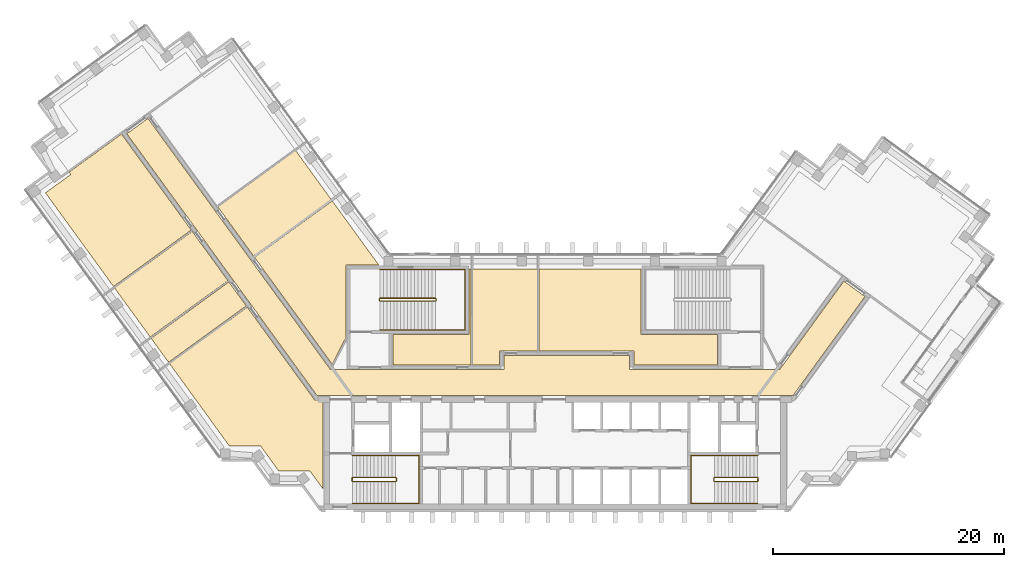
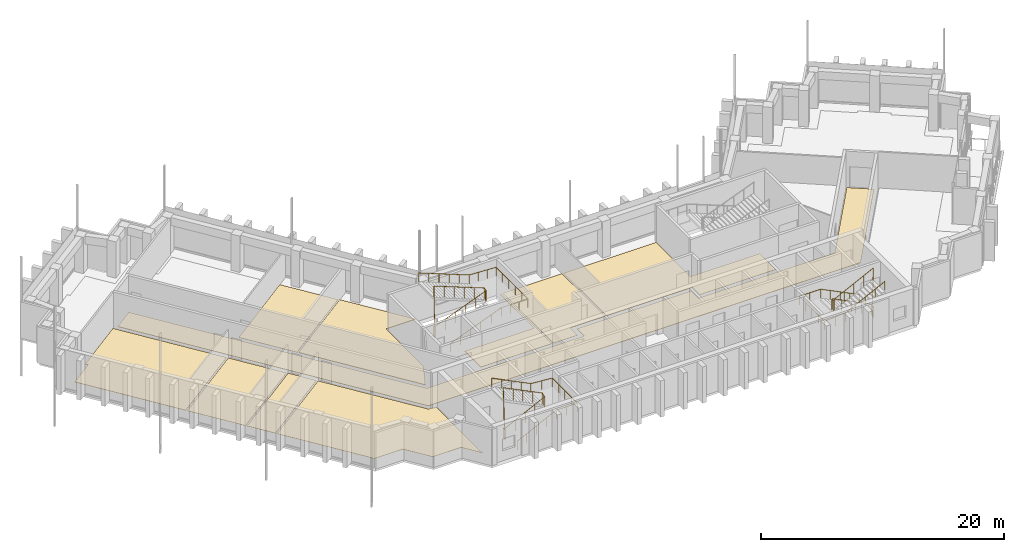
# One storey, part 13 of 14: 10 coverings, 6 railings.
"""IFC4 building model written with IfcOpenShell, lengths in metres."""

from ifc_helpers import new_model, si_unit, direction, frame, origin, origin_2d, place, context, subcontext, project, spatial, polyline, circle, outline, extrude, material, layer, layer_set, type_object, element, save


model = new_model("IFC4")

# Units and contexts
model_context = context("Model", 3, precision=1e-05, world=origin(), true_north=direction((0.0, 1.0)))
body_context = subcontext(model_context, "Body", "Model", "MODEL_VIEW")
ifc_project = project(units=[si_unit("LENGTHUNIT", "METRE"), si_unit("AREAUNIT", "SQUARE_METRE"), si_unit("VOLUMEUNIT", "CUBIC_METRE"), si_unit("PLANEANGLEUNIT", "RADIAN"), si_unit("MASSUNIT", "GRAM", prefix="KILO")], contexts=[model_context])

# Site, building, storey
site_placement = place(None, origin())
site = spatial("IfcSite", under=ifc_project, at=site_placement, CompositionType="ELEMENT")
building_placement = place(site_placement, origin())
building = spatial("IfcBuilding", under=site, at=building_placement, Name="Quipu Civic Tower", CompositionType="ELEMENT")
storey_placement = place(building_placement, frame((0.0, 0.0, 198.0)))
storey = spatial("IfcBuildingStorey", under=building, at=storey_placement, Name="L46", CompositionType="ELEMENT", Elevation=198.0)

# Coverings
ifc_material_1 = material(Name="Carpet tile on raised access floor")
ifc_layer_1 = layer(ifc_material_1, 0.02001953125)
ifc_layer_set_1 = layer_set([ifc_layer_1], Name="Carpet tile on raised access floor")
covering_type_1 = type_object("IfcCoveringType", Name="Carpet tile floor finish 20", PredefinedType="FLOORING", material=ifc_layer_set_1)
covering_1_placement = place(storey_placement, origin())
element("IfcCovering", 1, at=covering_1_placement, inside=storey, type_object=covering_type_1, Name="Carpet tile floor finish 20", PredefinedType="FLOORING", context=body_context, shape_type="SweptSolid", body=[
    extrude(outline(polyline([(-7.1279296875, 9.830078125), (-1.510009765625, 9.830078125), (-1.510009765625, 2.719970703125), (-4.818115234375, 2.719970703125), (-4.820068359375, 1.52001953125), (-7.1279296875, 1.52001953125), (-7.1279296875, 9.830078125)])), origin(), (0.0, 0.0, 1.0), 0.02001953125),
])
covering_2_placement = place(storey_placement, origin())
element("IfcCovering", 2, at=covering_2_placement, inside=storey, type_object=covering_type_1, Name="Carpet tile floor finish 20", PredefinedType="FLOORING", context=body_context, shape_type="SweptSolid", body=[
    extrude(outline(polyline([(-29.1650390625, 15.200927734375), (-22.44189453125, 20.0849609375), (-19.35107421875, 15.8291015625), (-26.073974609375, 10.946044921875), (-29.1650390625, 15.200927734375)])), origin(), (0.0, 0.0, 1.0), 0.02001953125),
])
covering_3_placement = place(storey_placement, origin())
element("IfcCovering", 3, at=covering_3_placement, inside=storey, type_object=covering_type_1, Name="Carpet tile floor finish 20", PredefinedType="FLOORING", context=body_context, shape_type="SweptSolid", body=[
    extrude(outline(polyline([(-38.10693359375, 8.198974609375), (-31.383056640625, 13.08203125), (-28.2919921875, 8.826904296875), (-35.01611328125, 3.943115234375), (-38.10693359375, 8.198974609375)])), origin(), (0.0, 0.0, 1.0), 0.02001953125),
])
covering_4_placement = place(storey_placement, origin())
element("IfcCovering", 4, at=covering_4_placement, inside=storey, type_object=covering_type_1, Name="Carpet tile floor finish 20", PredefinedType="FLOORING", context=body_context, shape_type="SweptSolid", body=[
    extrude(outline(polyline([(-33.344970703125, 1.64501953125), (-26.6220703125, 6.529052734375), (-20.77490234375, -1.51904296875), (-20.070068359375, -1.52001953125), (-20.070068359375, -9.195068359375), (-21.196044921875, -7.64599609375), (-23.89501953125, -7.64599609375), (-25.48193359375, -5.4619140625), (-28.181884765625, -5.4609375), (-33.344970703125, 1.64501953125)])), origin(), (0.0, 0.0, 1.0), 0.02001953125),
])
covering_5_placement = place(storey_placement, origin())
element("IfcCovering", 5, at=covering_5_placement, inside=storey, type_object=covering_type_1, Name="Carpet tile floor finish 20", PredefinedType="FLOORING", context=body_context, shape_type="SweptSolid", body=[
    extrude(outline(polyline([(-1.368896484375, 2.719970703125), (-1.368896484375, 9.830078125), (7.429931640625, 9.830078125), (7.430908203125, 4.179931640625), (14.030029296875, 4.179931640625), (14.030029296875, 1.52001953125), (6.820068359375, 1.52001953125), (6.818115234375, 2.719970703125), (-1.368896484375, 2.719970703125)])), origin(), (0.0, 0.0, 1.0), 0.02001953125),
])
ifc_material_2 = material(Name="Ceramic floor tile")
ifc_layer_2 = layer(ifc_material_2, 0.030029296875)
ifc_layer_set_2 = layer_set([ifc_layer_2], Name="Ceramic floor tile")
covering_type_2 = type_object("IfcCoveringType", Name="Ceramic tile floor finish 30", PredefinedType="FLOORING", material=ifc_layer_set_2)
covering_6_placement = place(storey_placement, origin())
element("IfcCovering", 6, at=covering_6_placement, inside=storey, type_object=covering_type_2, Name="Ceramic tile floor finish 30", PredefinedType="FLOORING", context=body_context, shape_type="SweptSolid", body=[
    extrude(outline(polyline([(-44.074951171875, 16.4140625), (-41.89208984375, 17.9990234375), (-42.0380859375, 18.201904296875), (-37.4990234375, 21.5), (-31.466064453125, 13.195068359375), (-38.18994140625, 8.31201171875), (-44.074951171875, 16.4140625)])), origin(), (0.0, 0.0, 1.0), 0.030029296875),
])
covering_7_placement = place(storey_placement, origin())
element("IfcCovering", 7, at=covering_7_placement, inside=storey, type_object=covering_type_2, Name="Ceramic tile floor finish 30", PredefinedType="FLOORING", context=body_context, shape_type="SweptSolid", body=[
    extrude(outline(polyline([(-14.030029296875, 4.179931640625), (-7.430908203125, 4.179931640625), (-7.429931640625, 9.830078125), (-7.26806640625, 9.830078125), (-7.26806640625, 1.52001953125), (-14.030029296875, 1.52001953125), (-14.030029296875, 4.179931640625)])), origin(), (0.0, 0.0, 1.0), 0.030029296875),
])
covering_8_placement = place(storey_placement, origin())
element("IfcCovering", 8, at=covering_8_placement, inside=storey, type_object=covering_type_2, Name="Ceramic tile floor finish 30", PredefinedType="FLOORING", context=body_context, shape_type="SweptSolid", body=[
    extrude(outline(polyline([(-34.931884765625, 3.830078125), (-28.208984375, 8.714111328125), (-26.705078125, 6.64208984375), (-33.427978515625, 1.758056640625), (-34.931884765625, 3.830078125)])), origin(), (0.0, 0.0, 1.0), 0.030029296875),
])
ifc_material_3 = material(Name="Sealed cement screed")
ifc_layer_3 = layer(ifc_material_3, 0.050048828125)
ifc_layer_set_3 = layer_set([ifc_layer_3], Name="Sealed cement screed")
covering_type_3 = type_object("IfcCoveringType", Name="Sealed screed floor finish 50", PredefinedType="FLOORING", material=ifc_layer_set_3)
covering_9_placement = place(storey_placement, origin())
element("IfcCovering", 9, at=covering_9_placement, inside=storey, type_object=covering_type_3, Name="Sealed screed floor finish 50", PredefinedType="FLOORING", context=body_context, shape_type="SweptSolid", body=[
    extrude(outline(polyline([(-25.990966796875, 10.8330078125), (-19.26806640625, 15.716064453125), (-15.238037109375, 10.169921875), (-18.070068359375, 10.1689453125), (-18.070068359375, 3.94189453125), (-19.27197265625, 1.583984375), (-25.990966796875, 10.8330078125)])), origin(), (0.0, 0.0, 1.0), 0.050048828125),
])

# Railings
ifc_material_4 = material(Name="Stainless steel", Category="steel")
railing_type_1 = type_object("IfcRailingType", Name="Stair guard 1100", PredefinedType="GUARDRAIL", material=ifc_material_4)
railing_1_placement = place(storey_placement, frame((-17.5, -8.550048828125, 0.15380859375)))
element("IfcRailing", 10, at=railing_1_placement, inside=storey, type_object=railing_type_1, Name="Stair 1 guard", PredefinedType="GUARDRAIL", context=body_context, shape_type="SweptSolid", body=[
    extrude(circle(Radius=0.02392578125, at=origin_2d()), frame((0.0, 0.0, 1.076171875), z_axis=(0.895751851347, 0.0, 0.444554407028), x_axis=(0.0, 1.0, 0.0)), (0.0, 0.0, 1.0), 4.15283203125),
    extrude(circle(Radius=0.02392578125, at=origin_2d()), frame((3.719970703125, 0.0, 2.92236328125), z_axis=(0.707106781187, 0.707106781187, 0.0), x_axis=(-0.707106781187, 0.707106781187, 0.0)), (0.0, 0.0, 1.0), 0.07080078125),
    extrude(circle(Radius=0.02392578125, at=origin_2d()), frame((3.77001953125, 0.050048828125, 2.92236328125), z_axis=(0.0, 1.0, 0.0), x_axis=(-1.0, 0.0, 0.0)), (0.0, 0.0, 1.0), 0.25),
    extrude(circle(Radius=0.02392578125, at=origin_2d()), frame((3.77001953125, 0.300048828125, 2.92236328125), z_axis=(-0.295599637079, 0.295599637079, 0.908428152975), x_axis=(-0.707106781187, -0.707106781187, 0.0)), (0.0, 0.0, 1.0), 0.16943359375),
    extrude(circle(Radius=0.02392578125, at=origin_2d()), frame((3.719970703125, 0.35009765625, 3.076171875), z_axis=(-0.895751851347, 0.0, 0.444554407028), x_axis=(0.0, -1.0, 0.0)), (0.0, 0.0, 1.0), 4.15283203125),
    extrude(circle(Radius=0.02392578125, at=origin_2d()), frame((0.0, 0.35009765625, 4.92236328125), z_axis=(-0.012476181752, -0.074796231092, -0.997120789425), x_axis=(0.986372223864, -0.164529134168, 0.0)), (0.0, 0.0, 1.0), 4.011474609375),
    extrude(circle(Radius=0.02392578125, at=origin_2d()), frame((-0.050048828125, 0.050048828125, 0.92236328125), z_axis=(0.0, 1.0, 0.0), x_axis=(-1.0, 0.0, 0.0)), (0.0, 0.0, 1.0), 0.25),
    extrude(circle(Radius=0.02099609375, at=origin_2d()), origin(), (0.0, 0.0, 1.0), 1.052001953125),
    extrude(circle(Radius=0.02099609375, at=origin_2d()), frame((0.929931640625, 0.0, 0.46142578125)), (0.0, 0.0, 1.0), 1.052001953125),
    extrude(circle(Radius=0.02099609375, at=origin_2d()), frame((1.85986328125, 0.0, 0.923095703125)), (0.0, 0.0, 1.0), 1.052001953125),
    extrude(circle(Radius=0.02099609375, at=origin_2d()), frame((2.7900390625, 0.0, 1.384765625)), (0.0, 0.0, 1.0), 1.052001953125),
    extrude(circle(Radius=0.02099609375, at=origin_2d()), frame((3.719970703125, 0.0, 1.84619140625)), (0.0, 0.0, 1.0), 1.052001953125),
    extrude(circle(Radius=0.02099609375, at=origin_2d()), frame((3.77001953125, 0.050048828125, 1.84619140625)), (0.0, 0.0, 1.0), 1.052001953125),
    extrude(circle(Radius=0.02099609375, at=origin_2d()), frame((3.77001953125, 0.300048828125, 1.84619140625)), (0.0, 0.0, 1.0), 1.052001953125),
    extrude(circle(Radius=0.02099609375, at=origin_2d()), frame((3.719970703125, 0.35009765625, 2.0)), (0.0, 0.0, 1.0), 1.052001953125),
    extrude(circle(Radius=0.02099609375, at=origin_2d()), frame((2.7900390625, 0.35009765625, 2.46142578125)), (0.0, 0.0, 1.0), 1.052001953125),
    extrude(circle(Radius=0.02099609375, at=origin_2d()), frame((1.85986328125, 0.35009765625, 2.923095703125)), (0.0, 0.0, 1.0), 1.052001953125),
    extrude(circle(Radius=0.02099609375, at=origin_2d()), frame((0.929931640625, 0.35009765625, 3.384765625)), (0.0, 0.0, 1.0), 1.052001953125),
    extrude(circle(Radius=0.02099609375, at=origin_2d()), frame((0.0, 0.35009765625, 3.84619140625)), (0.0, 0.0, 1.0), 1.052001953125),
    extrude(circle(Radius=0.02099609375, at=origin_2d()), frame((-0.012451171875, 0.275146484375, 2.84619140625)), (0.0, 0.0, 1.0), 1.052001953125),
    extrude(circle(Radius=0.02099609375, at=origin_2d()), frame((-0.02490234375, 0.2001953125, 1.84619140625)), (0.0, 0.0, 1.0), 1.052001953125),
    extrude(circle(Radius=0.02099609375, at=origin_2d()), frame((-0.03759765625, 0.125, 0.84619140625)), (0.0, 0.0, 1.0), 1.052001953125),
    extrude(circle(Radius=0.02099609375, at=origin_2d()), frame((-0.050048828125, 0.050048828125, -0.15380859375)), (0.0, 0.0, 1.0), 1.052001953125),
    extrude(circle(Radius=0.02099609375, at=origin_2d()), frame((-0.050048828125, 0.300048828125, -0.15380859375)), (0.0, 0.0, 1.0), 1.052001953125),
])
railing_2_placement = place(storey_placement, frame((17.5, -8.199951171875, 0.15380859375)))
element("IfcRailing", 11, at=railing_2_placement, inside=storey, type_object=railing_type_1, Name="Stair 2 guard", PredefinedType="GUARDRAIL", context=body_context, shape_type="SweptSolid", body=[
    extrude(circle(Radius=0.02392578125, at=origin_2d()), frame((0.0, 0.0, 1.076171875), z_axis=(-0.895751851347, 0.0, 0.444554407028), x_axis=(0.0, -1.0, 0.0)), (0.0, 0.0, 1.0), 4.15283203125),
    extrude(circle(Radius=0.02392578125, at=origin_2d()), frame((-3.719970703125, 0.0, 2.92236328125), z_axis=(-0.707106781187, -0.707106781187, 0.0), x_axis=(0.707106781187, -0.707106781187, 0.0)), (0.0, 0.0, 1.0), 0.07080078125),
    extrude(circle(Radius=0.02392578125, at=origin_2d()), frame((-3.77001953125, -0.050048828125, 2.92236328125), z_axis=(0.0, -1.0, 0.0), x_axis=(1.0, 0.0, 0.0)), (0.0, 0.0, 1.0), 0.25),
    extrude(circle(Radius=0.02392578125, at=origin_2d()), frame((-3.77001953125, -0.300048828125, 2.92236328125), z_axis=(0.295599637079, -0.295599637079, 0.908428152975), x_axis=(0.707106781187, 0.707106781187, 0.0)), (0.0, 0.0, 1.0), 0.16943359375),
    extrude(circle(Radius=0.02392578125, at=origin_2d()), frame((-3.719970703125, -0.35009765625, 3.076171875), z_axis=(0.895751851347, 0.0, 0.444554407028), x_axis=(0.0, 1.0, 0.0)), (0.0, 0.0, 1.0), 4.15283203125),
    extrude(circle(Radius=0.02392578125, at=origin_2d()), frame((0.0, -0.35009765625, 4.92236328125), z_axis=(0.012476181752, 0.074796231092, -0.997120789425), x_axis=(-0.986372223864, 0.164529134168, 0.0)), (0.0, 0.0, 1.0), 4.011474609375),
    extrude(circle(Radius=0.02392578125, at=origin_2d()), frame((0.050048828125, -0.050048828125, 0.92236328125), z_axis=(0.0, -1.0, 0.0), x_axis=(1.0, 0.0, 0.0)), (0.0, 0.0, 1.0), 0.25),
    extrude(circle(Radius=0.02099609375, at=origin_2d()), origin(), (0.0, 0.0, 1.0), 1.052001953125),
    extrude(circle(Radius=0.02099609375, at=origin_2d()), frame((-0.929931640625, 0.0, 0.46142578125)), (0.0, 0.0, 1.0), 1.052001953125),
    extrude(circle(Radius=0.02099609375, at=origin_2d()), frame((-1.85986328125, 0.0, 0.923095703125)), (0.0, 0.0, 1.0), 1.052001953125),
    extrude(circle(Radius=0.02099609375, at=origin_2d()), frame((-2.7900390625, 0.0, 1.384765625)), (0.0, 0.0, 1.0), 1.052001953125),
    extrude(circle(Radius=0.02099609375, at=origin_2d()), frame((-3.719970703125, 0.0, 1.84619140625)), (0.0, 0.0, 1.0), 1.052001953125),
    extrude(circle(Radius=0.02099609375, at=origin_2d()), frame((-3.77001953125, -0.050048828125, 1.84619140625)), (0.0, 0.0, 1.0), 1.052001953125),
    extrude(circle(Radius=0.02099609375, at=origin_2d()), frame((-3.77001953125, -0.300048828125, 1.84619140625)), (0.0, 0.0, 1.0), 1.052001953125),
    extrude(circle(Radius=0.02099609375, at=origin_2d()), frame((-3.719970703125, -0.35009765625, 2.0)), (0.0, 0.0, 1.0), 1.052001953125),
    extrude(circle(Radius=0.02099609375, at=origin_2d()), frame((-2.7900390625, -0.35009765625, 2.46142578125)), (0.0, 0.0, 1.0), 1.052001953125),
    extrude(circle(Radius=0.02099609375, at=origin_2d()), frame((-1.85986328125, -0.35009765625, 2.923095703125)), (0.0, 0.0, 1.0), 1.052001953125),
    extrude(circle(Radius=0.02099609375, at=origin_2d()), frame((-0.929931640625, -0.35009765625, 3.384765625)), (0.0, 0.0, 1.0), 1.052001953125),
    extrude(circle(Radius=0.02099609375, at=origin_2d()), frame((0.0, -0.35009765625, 3.84619140625)), (0.0, 0.0, 1.0), 1.052001953125),
    extrude(circle(Radius=0.02099609375, at=origin_2d()), frame((0.012451171875, -0.275146484375, 2.84619140625)), (0.0, 0.0, 1.0), 1.052001953125),
    extrude(circle(Radius=0.02099609375, at=origin_2d()), frame((0.02490234375, -0.2001953125, 1.84619140625)), (0.0, 0.0, 1.0), 1.052001953125),
    extrude(circle(Radius=0.02099609375, at=origin_2d()), frame((0.03759765625, -0.125, 0.84619140625)), (0.0, 0.0, 1.0), 1.052001953125),
    extrude(circle(Radius=0.02099609375, at=origin_2d()), frame((0.050048828125, -0.050048828125, -0.15380859375)), (0.0, 0.0, 1.0), 1.052001953125),
    extrude(circle(Radius=0.02099609375, at=origin_2d()), frame((0.050048828125, -0.300048828125, -0.15380859375)), (0.0, 0.0, 1.0), 1.052001953125),
])
railing_3_placement = place(storey_placement, frame((-15.14990234375, 7.050048828125, 0.11767578125)))
element("IfcRailing", 12, at=railing_3_placement, inside=storey, type_object=railing_type_1, Name="Stair 3 guard", PredefinedType="GUARDRAIL", context=body_context, shape_type="SweptSolid", body=[
    extrude(circle(Radius=0.02392578125, at=origin_2d()), frame((0.0, 0.0, 1.076171875), z_axis=(0.930970042603, 0.0, 0.365095576219), x_axis=(0.0, 1.0, 0.0)), (0.0, 0.0, 1.0), 5.15576171875),
    extrude(circle(Radius=0.02392578125, at=origin_2d()), frame((4.7998046875, 0.0, 2.95849609375), z_axis=(0.707106781187, 0.707106781187, 0.0), x_axis=(-0.707106781187, 0.707106781187, 0.0)), (0.0, 0.0, 1.0), 0.07080078125),
    extrude(circle(Radius=0.02392578125, at=origin_2d()), frame((4.849853515625, 0.050048828125, 2.95849609375), z_axis=(0.0, 1.0, 0.0), x_axis=(-1.0, 0.0, 0.0)), (0.0, 0.0, 1.0), 0.14990234375),
    extrude(circle(Radius=0.02392578125, at=origin_2d()), frame((4.849853515625, 0.199951171875, 2.95849609375), z_axis=(-0.364463019033, 0.364463019033, 0.856932561824), x_axis=(-0.707106781187, -0.707106781187, 0.0)), (0.0, 0.0, 1.0), 0.13720703125),
    extrude(circle(Radius=0.02392578125, at=origin_2d()), frame((4.7998046875, 0.25, 3.076171875), z_axis=(-0.930970042603, 0.0, 0.365095576219), x_axis=(0.0, -1.0, 0.0)), (0.0, 0.0, 1.0), 5.15576171875),
    extrude(circle(Radius=0.02392578125, at=origin_2d()), frame((0.0, 0.25, 4.95849609375), z_axis=(-0.012495627992, -0.049921557685, -0.998674970829), x_axis=(0.970072785993, -0.242814311512, 0.0)), (0.0, 0.0, 1.0), 4.00537109375),
    extrude(circle(Radius=0.02392578125, at=origin_2d()), frame((-0.050048828125, 0.050048828125, 0.95849609375), z_axis=(0.0, 1.0, 0.0), x_axis=(-1.0, 0.0, 0.0)), (0.0, 0.0, 1.0), 0.14990234375),
    extrude(circle(Radius=0.02099609375, at=origin_2d()), origin(), (0.0, 0.0, 1.0), 1.052001953125),
    extrude(circle(Radius=0.02099609375, at=origin_2d()), frame((0.9599609375, 0.0, 0.37646484375)), (0.0, 0.0, 1.0), 1.052001953125),
    extrude(circle(Radius=0.02099609375, at=origin_2d()), frame((1.919921875, 0.0, 0.7529296875)), (0.0, 0.0, 1.0), 1.052001953125),
    extrude(circle(Radius=0.02099609375, at=origin_2d()), frame((2.8798828125, 0.0, 1.12939453125)), (0.0, 0.0, 1.0), 1.052001953125),
    extrude(circle(Radius=0.02099609375, at=origin_2d()), frame((3.83984375, 0.0, 1.505859375)), (0.0, 0.0, 1.0), 1.052001953125),
    extrude(circle(Radius=0.02099609375, at=origin_2d()), frame((4.7998046875, 0.0, 1.88232421875)), (0.0, 0.0, 1.0), 1.052001953125),
    extrude(circle(Radius=0.02099609375, at=origin_2d()), frame((4.849853515625, 0.050048828125, 1.88232421875)), (0.0, 0.0, 1.0), 1.052001953125),
    extrude(circle(Radius=0.02099609375, at=origin_2d()), frame((4.849853515625, 0.199951171875, 1.88232421875)), (0.0, 0.0, 1.0), 1.052001953125),
    extrude(circle(Radius=0.02099609375, at=origin_2d()), frame((4.7998046875, 0.25, 2.0)), (0.0, 0.0, 1.0), 1.052001953125),
    extrude(circle(Radius=0.02099609375, at=origin_2d()), frame((3.83984375, 0.25, 2.37646484375)), (0.0, 0.0, 1.0), 1.052001953125),
    extrude(circle(Radius=0.02099609375, at=origin_2d()), frame((2.8798828125, 0.25, 2.7529296875)), (0.0, 0.0, 1.0), 1.052001953125),
    extrude(circle(Radius=0.02099609375, at=origin_2d()), frame((1.919921875, 0.25, 3.12939453125)), (0.0, 0.0, 1.0), 1.052001953125),
    extrude(circle(Radius=0.02099609375, at=origin_2d()), frame((0.9599609375, 0.25, 3.505859375)), (0.0, 0.0, 1.0), 1.052001953125),
    extrude(circle(Radius=0.02099609375, at=origin_2d()), frame((0.0, 0.25, 3.88232421875)), (0.0, 0.0, 1.0), 1.052001953125),
    extrude(circle(Radius=0.02099609375, at=origin_2d()), frame((-0.012451171875, 0.199951171875, 2.88232421875)), (0.0, 0.0, 1.0), 1.052001953125),
    extrude(circle(Radius=0.02099609375, at=origin_2d()), frame((-0.02490234375, 0.14990234375, 1.88232421875)), (0.0, 0.0, 1.0), 1.052001953125),
    extrude(circle(Radius=0.02099609375, at=origin_2d()), frame((-0.03759765625, 0.10009765625, 0.88232421875)), (0.0, 0.0, 1.0), 1.052001953125),
    extrude(circle(Radius=0.02099609375, at=origin_2d()), frame((-0.050048828125, 0.050048828125, -0.11767578125)), (0.0, 0.0, 1.0), 1.052001953125),
    extrude(circle(Radius=0.02099609375, at=origin_2d()), frame((-0.050048828125, 0.199951171875, -0.11767578125)), (0.0, 0.0, 1.0), 1.052001953125),
])
ifc_material_5 = material(Name="Stainless steel", Category="steel")
railing_type_2 = type_object("IfcRailingType", Name="Stair handrail", PredefinedType="HANDRAIL", material=ifc_material_5)
railing_4_placement = place(storey_placement, frame((-17.5, -10.449951171875, 0.15380859375)))
element("IfcRailing", 13, at=railing_4_placement, inside=storey, type_object=railing_type_2, Name="Stair 1 handrail", PredefinedType="HANDRAIL", context=body_context, shape_type="SweptSolid", body=[
    extrude(circle(Radius=0.02392578125, at=origin_2d()), frame((0.0, 0.0, 0.8759765625), z_axis=(0.895751851347, 0.0, 0.444554407028), x_axis=(0.0, 1.0, 0.0)), (0.0, 0.0, 1.0), 4.15283203125),
    extrude(circle(Radius=0.02392578125, at=origin_2d()), frame((3.719970703125, 0.0, 2.72216796875), z_axis=(1.0, 0.0, 0.0), x_axis=(0.0, 1.0, 0.0)), (0.0, 0.0, 1.0), 2.030029296875),
    extrude(circle(Radius=0.02392578125, at=origin_2d()), frame((5.75, 0.0, 2.72216796875), z_axis=(0.0, 1.0, 0.0), x_axis=(-1.0, 0.0, 0.0)), (0.0, 0.0, 1.0), 4.14990234375),
    extrude(circle(Radius=0.02392578125, at=origin_2d()), frame((5.75, 4.14990234375, 2.72216796875), z_axis=(-0.997142003663, 0.0, 0.075550145798), x_axis=(0.0, -1.0, 0.0)), (0.0, 0.0, 1.0), 2.035888671875),
    extrude(circle(Radius=0.02392578125, at=origin_2d()), frame((3.719970703125, 4.14990234375, 2.8759765625), z_axis=(-0.895751851347, 0.0, 0.444554407028), x_axis=(0.0, -1.0, 0.0)), (0.0, 0.0, 1.0), 4.15283203125),
    extrude(circle(Radius=0.02099609375, at=origin_2d()), origin(), (0.0, 0.0, 1.0), 0.851806640625),
    extrude(circle(Radius=0.02099609375, at=origin_2d()), frame((0.929931640625, 0.0, 0.46142578125)), (0.0, 0.0, 1.0), 0.851806640625),
    extrude(circle(Radius=0.02099609375, at=origin_2d()), frame((1.85986328125, 0.0, 0.923095703125)), (0.0, 0.0, 1.0), 0.851806640625),
    extrude(circle(Radius=0.02099609375, at=origin_2d()), frame((2.7900390625, 0.0, 1.384765625)), (0.0, 0.0, 1.0), 0.851806640625),
    extrude(circle(Radius=0.02099609375, at=origin_2d()), frame((3.719970703125, 0.0, 1.84619140625)), (0.0, 0.0, 1.0), 0.851806640625),
    extrude(circle(Radius=0.02099609375, at=origin_2d()), frame((4.73486328125, 0.0, 1.84619140625)), (0.0, 0.0, 1.0), 0.851806640625),
    extrude(circle(Radius=0.02099609375, at=origin_2d()), frame((5.75, 0.0, 1.84619140625)), (0.0, 0.0, 1.0), 0.851806640625),
    extrude(circle(Radius=0.02099609375, at=origin_2d()), frame((5.75, 1.03759765625, 1.84619140625)), (0.0, 0.0, 1.0), 0.851806640625),
    extrude(circle(Radius=0.02099609375, at=origin_2d()), frame((5.75, 2.074951171875, 1.84619140625)), (0.0, 0.0, 1.0), 0.851806640625),
    extrude(circle(Radius=0.02099609375, at=origin_2d()), frame((5.75, 3.1123046875, 1.84619140625)), (0.0, 0.0, 1.0), 0.851806640625),
    extrude(circle(Radius=0.02099609375, at=origin_2d()), frame((5.75, 4.14990234375, 1.84619140625)), (0.0, 0.0, 1.0), 0.851806640625),
    extrude(circle(Radius=0.02099609375, at=origin_2d()), frame((4.73486328125, 4.14990234375, 1.923095703125)), (0.0, 0.0, 1.0), 0.851806640625),
    extrude(circle(Radius=0.02099609375, at=origin_2d()), frame((3.719970703125, 4.14990234375, 2.0)), (0.0, 0.0, 1.0), 0.851806640625),
    extrude(circle(Radius=0.02099609375, at=origin_2d()), frame((2.7900390625, 4.14990234375, 2.46142578125)), (0.0, 0.0, 1.0), 0.851806640625),
    extrude(circle(Radius=0.02099609375, at=origin_2d()), frame((1.85986328125, 4.14990234375, 2.923095703125)), (0.0, 0.0, 1.0), 0.851806640625),
    extrude(circle(Radius=0.02099609375, at=origin_2d()), frame((0.929931640625, 4.14990234375, 3.384765625)), (0.0, 0.0, 1.0), 0.851806640625),
    extrude(circle(Radius=0.02099609375, at=origin_2d()), frame((0.0, 4.14990234375, 3.84619140625)), (0.0, 0.0, 1.0), 0.851806640625),
])
railing_5_placement = place(storey_placement, frame((17.5, -6.300048828125, 0.15380859375)))
element("IfcRailing", 14, at=railing_5_placement, inside=storey, type_object=railing_type_2, Name="Stair 2 handrail", PredefinedType="HANDRAIL", context=body_context, shape_type="SweptSolid", body=[
    extrude(circle(Radius=0.02392578125, at=origin_2d()), frame((0.0, 0.0, 0.8759765625), z_axis=(-0.895751851347, 0.0, 0.444554407028), x_axis=(0.0, -1.0, 0.0)), (0.0, 0.0, 1.0), 4.15283203125),
    extrude(circle(Radius=0.02392578125, at=origin_2d()), frame((-3.719970703125, 0.0, 2.72216796875), z_axis=(-1.0, 0.0, 0.0), x_axis=(0.0, -1.0, 0.0)), (0.0, 0.0, 1.0), 2.030029296875),
    extrude(circle(Radius=0.02392578125, at=origin_2d()), frame((-5.75, 0.0, 2.72216796875), z_axis=(0.0, -1.0, 0.0), x_axis=(1.0, 0.0, 0.0)), (0.0, 0.0, 1.0), 4.14990234375),
    extrude(circle(Radius=0.02392578125, at=origin_2d()), frame((-5.75, -4.14990234375, 2.72216796875), z_axis=(0.997142003663, 0.0, 0.075550145798), x_axis=(0.0, 1.0, 0.0)), (0.0, 0.0, 1.0), 2.035888671875),
    extrude(circle(Radius=0.02392578125, at=origin_2d()), frame((-3.719970703125, -4.14990234375, 2.8759765625), z_axis=(0.895751851347, 0.0, 0.444554407028), x_axis=(0.0, 1.0, 0.0)), (0.0, 0.0, 1.0), 4.15283203125),
    extrude(circle(Radius=0.02099609375, at=origin_2d()), origin(), (0.0, 0.0, 1.0), 0.851806640625),
    extrude(circle(Radius=0.02099609375, at=origin_2d()), frame((-0.929931640625, 0.0, 0.46142578125)), (0.0, 0.0, 1.0), 0.851806640625),
    extrude(circle(Radius=0.02099609375, at=origin_2d()), frame((-1.85986328125, 0.0, 0.923095703125)), (0.0, 0.0, 1.0), 0.851806640625),
    extrude(circle(Radius=0.02099609375, at=origin_2d()), frame((-2.7900390625, 0.0, 1.384765625)), (0.0, 0.0, 1.0), 0.851806640625),
    extrude(circle(Radius=0.02099609375, at=origin_2d()), frame((-3.719970703125, 0.0, 1.84619140625)), (0.0, 0.0, 1.0), 0.851806640625),
    extrude(circle(Radius=0.02099609375, at=origin_2d()), frame((-4.73486328125, 0.0, 1.84619140625)), (0.0, 0.0, 1.0), 0.851806640625),
    extrude(circle(Radius=0.02099609375, at=origin_2d()), frame((-5.75, 0.0, 1.84619140625)), (0.0, 0.0, 1.0), 0.851806640625),
    extrude(circle(Radius=0.02099609375, at=origin_2d()), frame((-5.75, -1.03759765625, 1.84619140625)), (0.0, 0.0, 1.0), 0.851806640625),
    extrude(circle(Radius=0.02099609375, at=origin_2d()), frame((-5.75, -2.074951171875, 1.84619140625)), (0.0, 0.0, 1.0), 0.851806640625),
    extrude(circle(Radius=0.02099609375, at=origin_2d()), frame((-5.75, -3.1123046875, 1.84619140625)), (0.0, 0.0, 1.0), 0.851806640625),
    extrude(circle(Radius=0.02099609375, at=origin_2d()), frame((-5.75, -4.14990234375, 1.84619140625)), (0.0, 0.0, 1.0), 0.851806640625),
    extrude(circle(Radius=0.02099609375, at=origin_2d()), frame((-4.73486328125, -4.14990234375, 1.923095703125)), (0.0, 0.0, 1.0), 0.851806640625),
    extrude(circle(Radius=0.02099609375, at=origin_2d()), frame((-3.719970703125, -4.14990234375, 2.0)), (0.0, 0.0, 1.0), 0.851806640625),
    extrude(circle(Radius=0.02099609375, at=origin_2d()), frame((-2.7900390625, -4.14990234375, 2.46142578125)), (0.0, 0.0, 1.0), 0.851806640625),
    extrude(circle(Radius=0.02099609375, at=origin_2d()), frame((-1.85986328125, -4.14990234375, 2.923095703125)), (0.0, 0.0, 1.0), 0.851806640625),
    extrude(circle(Radius=0.02099609375, at=origin_2d()), frame((-0.929931640625, -4.14990234375, 3.384765625)), (0.0, 0.0, 1.0), 0.851806640625),
    extrude(circle(Radius=0.02099609375, at=origin_2d()), frame((0.0, -4.14990234375, 3.84619140625)), (0.0, 0.0, 1.0), 0.851806640625),
])
railing_6_placement = place(storey_placement, frame((-15.14990234375, 4.550048828125, 0.11767578125)))
element("IfcRailing", 15, at=railing_6_placement, inside=storey, type_object=railing_type_2, Name="Stair 3 handrail", PredefinedType="HANDRAIL", context=body_context, shape_type="SweptSolid", body=[
    extrude(circle(Radius=0.02392578125, at=origin_2d()), frame((0.0, 0.0, 0.8759765625), z_axis=(0.930970042603, 0.0, 0.365095576219), x_axis=(0.0, 1.0, 0.0)), (0.0, 0.0, 1.0), 5.15576171875),
    extrude(circle(Radius=0.02392578125, at=origin_2d()), frame((4.7998046875, 0.0, 2.75830078125), z_axis=(1.0, 0.0, 0.0), x_axis=(0.0, 1.0, 0.0)), (0.0, 0.0, 1.0), 2.550048828125),
    extrude(circle(Radius=0.02392578125, at=origin_2d()), frame((7.349853515625, 0.0, 2.75830078125), z_axis=(0.0, 1.0, 0.0), x_axis=(-1.0, 0.0, 0.0)), (0.0, 0.0, 1.0), 5.25),
    extrude(circle(Radius=0.02392578125, at=origin_2d()), frame((7.349853515625, 5.25, 2.75830078125), z_axis=(-0.998936948642, 0.0, 0.04609742549), x_axis=(0.0, -1.0, 0.0)), (0.0, 0.0, 1.0), 2.552734375),
    extrude(circle(Radius=0.02392578125, at=origin_2d()), frame((4.7998046875, 5.25, 2.8759765625), z_axis=(-0.930970042603, 0.0, 0.365095576219), x_axis=(0.0, -1.0, 0.0)), (0.0, 0.0, 1.0), 5.15576171875),
    extrude(circle(Radius=0.02099609375, at=origin_2d()), origin(), (0.0, 0.0, 1.0), 0.851806640625),
    extrude(circle(Radius=0.02099609375, at=origin_2d()), frame((0.9599609375, 0.0, 0.37646484375)), (0.0, 0.0, 1.0), 0.851806640625),
    extrude(circle(Radius=0.02099609375, at=origin_2d()), frame((1.919921875, 0.0, 0.7529296875)), (0.0, 0.0, 1.0), 0.851806640625),
    extrude(circle(Radius=0.02099609375, at=origin_2d()), frame((2.8798828125, 0.0, 1.12939453125)), (0.0, 0.0, 1.0), 0.851806640625),
    extrude(circle(Radius=0.02099609375, at=origin_2d()), frame((3.83984375, 0.0, 1.505859375)), (0.0, 0.0, 1.0), 0.851806640625),
    extrude(circle(Radius=0.02099609375, at=origin_2d()), frame((4.7998046875, 0.0, 1.88232421875)), (0.0, 0.0, 1.0), 0.851806640625),
    extrude(circle(Radius=0.02099609375, at=origin_2d()), frame((5.64990234375, 0.0, 1.88232421875)), (0.0, 0.0, 1.0), 0.851806640625),
    extrude(circle(Radius=0.02099609375, at=origin_2d()), frame((6.499755859375, 0.0, 1.88232421875)), (0.0, 0.0, 1.0), 0.851806640625),
    extrude(circle(Radius=0.02099609375, at=origin_2d()), frame((7.349853515625, 0.0, 1.88232421875)), (0.0, 0.0, 1.0), 0.851806640625),
    extrude(circle(Radius=0.02099609375, at=origin_2d()), frame((7.349853515625, 1.050048828125, 1.88232421875)), (0.0, 0.0, 1.0), 0.851806640625),
    extrude(circle(Radius=0.02099609375, at=origin_2d()), frame((7.349853515625, 2.10009765625, 1.88232421875)), (0.0, 0.0, 1.0), 0.851806640625),
    extrude(circle(Radius=0.02099609375, at=origin_2d()), frame((7.349853515625, 3.14990234375, 1.88232421875)), (0.0, 0.0, 1.0), 0.851806640625),
    extrude(circle(Radius=0.02099609375, at=origin_2d()), frame((7.349853515625, 4.199951171875, 1.88232421875)), (0.0, 0.0, 1.0), 0.851806640625),
    extrude(circle(Radius=0.02099609375, at=origin_2d()), frame((7.349853515625, 5.25, 1.88232421875)), (0.0, 0.0, 1.0), 0.851806640625),
    extrude(circle(Radius=0.02099609375, at=origin_2d()), frame((6.499755859375, 5.25, 1.921630859375)), (0.0, 0.0, 1.0), 0.851806640625),
    extrude(circle(Radius=0.02099609375, at=origin_2d()), frame((5.64990234375, 5.25, 1.960693359375)), (0.0, 0.0, 1.0), 0.851806640625),
    extrude(circle(Radius=0.02099609375, at=origin_2d()), frame((4.7998046875, 5.25, 2.0)), (0.0, 0.0, 1.0), 0.851806640625),
    extrude(circle(Radius=0.02099609375, at=origin_2d()), frame((3.83984375, 5.25, 2.37646484375)), (0.0, 0.0, 1.0), 0.851806640625),
    extrude(circle(Radius=0.02099609375, at=origin_2d()), frame((2.8798828125, 5.25, 2.7529296875)), (0.0, 0.0, 1.0), 0.851806640625),
    extrude(circle(Radius=0.02099609375, at=origin_2d()), frame((1.919921875, 5.25, 3.12939453125)), (0.0, 0.0, 1.0), 0.851806640625),
    extrude(circle(Radius=0.02099609375, at=origin_2d()), frame((0.9599609375, 5.25, 3.505859375)), (0.0, 0.0, 1.0), 0.851806640625),
    extrude(circle(Radius=0.02099609375, at=origin_2d()), frame((0.0, 5.25, 3.88232421875)), (0.0, 0.0, 1.0), 0.851806640625),
])

# Covering
ifc_material_6 = material(Name="Terrazzo floor finish")
ifc_layer_4 = layer(ifc_material_6, 0.0400390625)
ifc_layer_set_4 = layer_set([ifc_layer_4], Name="Terrazzo floor finish")
covering_type_4 = type_object("IfcCoveringType", Name="Terrazzo floor finish 40", PredefinedType="FLOORING", material=ifc_layer_set_4)
covering_10_placement = place(storey_placement, origin())
element("IfcCovering", 16, at=covering_10_placement, inside=storey, type_object=covering_type_4, Name="Terrazzo floor finish 40", PredefinedType="FLOORING", context=body_context, shape_type="SweptSolid", body=[
    extrude(outline(polyline([(19.425048828125, 1.1298828125), (24.98095703125, 8.778076171875), (26.80908203125, 7.450927734375), (20.574951171875, -1.1298828125), (-20.574951171875, -1.1298828125), (-37.037109375, 21.527099609375), (-35.208984375, 22.85498046875), (-19.425048828125, 1.1298828125), (-4.429931640625, 1.1298828125), (-4.429931640625, 2.330078125), (6.429931640625, 2.330078125), (6.429931640625, 1.1298828125), (19.425048828125, 1.1298828125)])), origin(), (0.0, 0.0, 1.0), 0.0400390625),
])

save(model, "model.ifc")
